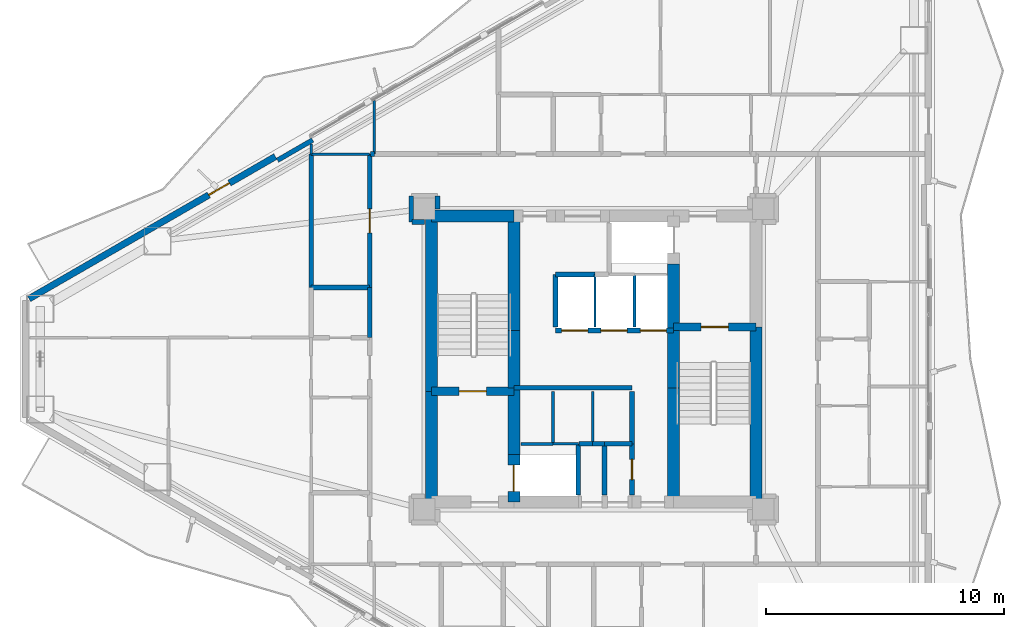
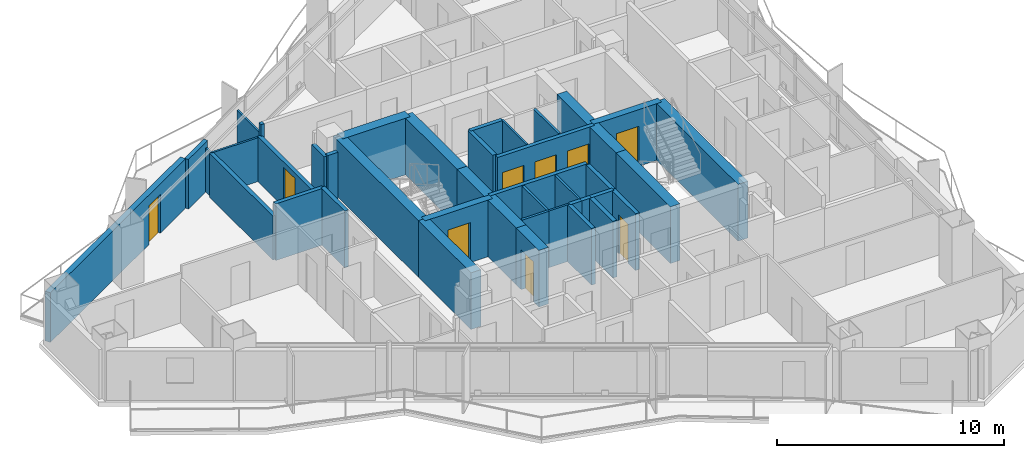
# One storey, part 17 of 22: 43 walls, 9 doors, 9 openings.
"""IFC4 building model written with IfcOpenShell, lengths in metres."""

from ifc_helpers import new_model, si_unit, direction, frame, frame_2d, origin, place, context, subcontext, project, spatial, rectangle, extrude, material, layer, layer_set, type_object, element, fill, save


model = new_model("IFC4")

# Units and contexts
model_context = context("Model", 3, precision=1e-05, world=origin(), true_north=direction((0.0, 1.0)))
body_context = subcontext(model_context, "Body", "Model", "MODEL_VIEW")
ifc_project = project(units=[si_unit("LENGTHUNIT", "METRE"), si_unit("AREAUNIT", "SQUARE_METRE"), si_unit("VOLUMEUNIT", "CUBIC_METRE"), si_unit("PLANEANGLEUNIT", "RADIAN"), si_unit("MASSUNIT", "GRAM", prefix="KILO")], contexts=[model_context])

# Site, building, storey
site_placement = place(None, origin())
site = spatial("IfcSite", under=ifc_project, at=site_placement, CompositionType="ELEMENT")
building_placement = place(site_placement, origin())
building = spatial("IfcBuilding", under=site, at=building_placement, Name="Mersakhor Tower and Convention Hall", CompositionType="ELEMENT")
storey_placement = place(building_placement, frame((0.0, 0.0, 76.800048828125)))
storey = spatial("IfcBuildingStorey", under=building, at=storey_placement, Name="L20", CompositionType="ELEMENT", Elevation=76.800048828125)

# Wall, opening, door
ifc_material_1 = material(Name="Precast concrete C45/55", Category="concrete")
ifc_layer_1 = layer(ifc_material_1, 0.27490234375)
ifc_layer_set_1 = layer_set([ifc_layer_1], Name="Precast concrete C45/55")
wall_type_1 = type_object("IfcWallType", Name="WL-EXT-275", PredefinedType="SOLIDWALL", material=ifc_layer_set_1)
wall_1_placement = place(storey_placement, frame((5.316650390625, 29.2822265625, 0.0), z_axis=(0.0, 0.0, 1.0), x_axis=(0.866023023012, 0.500004123596, 0.0)))
wall_1 = element("IfcWall", 1, at=wall_1_placement, inside=storey, type_object=wall_type_1, Name="L20 Exterior Facade Wall F1-B1", PredefinedType="SOLIDWALL", context=body_context, shape_type="SweptSolid", body=[
    extrude(rectangle(XDim=11.9296875, YDim=0.27490234375, at=frame_2d((5.96484375, 0.0))), origin(), (0.0, 0.0, 1.0), 2.669921875),
])
opening_1_placement = place(wall_1_placement, frame((8.7041015625, 0.0, 0.0)))
opening_1 = element("IfcOpeningElement", 2, at=opening_1_placement, cuts=wall_1, Name="Opening BD-01", PredefinedType="OPENING", context=body_context, shape_type="SweptSolid", body=[
    extrude(rectangle(XDim=1.0, YDim=2.10009765625, at=frame_2d((0.5, 1.050048828125))), frame((0.0, 0.1474609375, 0.0), z_axis=(0.0, -1.0, 0.0), x_axis=(1.0, 0.0, 0.0)), (0.0, 0.0, 1.0), 0.294921875),
])
ifc_material_2 = material(Name="Thermally broken dark aluminium and safety glass", Category="aluminium")
door_type_1 = type_object("IfcDoorType", Name="DR-BAL-100x210", OperationType="NOTDEFINED", PredefinedType="DOOR", material=ifc_material_2)
door_1_placement = place(opening_1_placement, origin())
door_1 = element("IfcDoor", 3, at=door_1_placement, inside=storey, type_object=door_type_1, Name="L20 Balcony Terrace Door F1-B1", OperationType="SINGLE_SWING_LEFT", OverallHeight=2.10009765625, OverallWidth=1.0, PredefinedType="DOOR", context=body_context, shape_type="SweptSolid", body=[
    extrude(rectangle(XDim=1.0, YDim=2.10009765625, at=frame_2d((0.5, 1.050048828125))), frame((0.0, 0.02490234375, 0.0), z_axis=(0.0, -1.0, 0.0), x_axis=(1.0, 0.0, 0.0)), (0.0, 0.0, 1.0), 0.050048828125),
])
fill(opening_1, door_1)

# Walls
ifc_material_3 = material(Name="Precast concrete C40/50", Category="concrete")
ifc_layer_2 = layer(ifc_material_3, 0.199951171875)
ifc_layer_set_2 = layer_set([ifc_layer_2], Name="Precast concrete C40/50")
wall_type_2 = type_object("IfcWallType", Name="WL-PAR-200", PredefinedType="PARAPET", material=ifc_layer_set_2)
wall_2_placement = place(storey_placement, frame((15.73779296875, 35.091064453125, 0.0), z_axis=(0.0, 0.0, 1.0), x_axis=(0.866025371046, 0.500000056704, 0.0)))
element("IfcWall", 4, at=wall_2_placement, inside=storey, type_object=wall_type_2, Name="L20 Column Pier Cladding Wall F1-C1", PredefinedType="PARAPET", context=body_context, shape_type="SweptSolid", body=[
    extrude(rectangle(XDim=1.7001953125, YDim=0.199951171875, at=frame_2d((0.85009765625, 0.0))), origin(), (0.0, 0.0, 1.0), 2.669921875),
])
ifc_material_4 = material(Name="Lightweight gypsum partition", Category="other")
ifc_layer_3 = layer(ifc_material_4, 0.10009765625)
ifc_layer_set_3 = layer_set([ifc_layer_3], Name="Lightweight gypsum partition")
wall_type_3 = type_object("IfcWallType", Name="WL-PRT-100", PredefinedType="PARTITIONING", material=ifc_layer_set_3)
wall_3_placement = place(storey_placement, frame((27.300048828125, 23.199951171875, 0.0), z_axis=(0.0, 0.0, 1.0), x_axis=(1.0, 0.0, 0.0)))
element("IfcWall", 5, at=wall_3_placement, inside=storey, type_object=wall_type_3, Name="L20 Interior Partition Wall P-002", PredefinedType="PARTITIONING", context=body_context, shape_type="SweptSolid", body=[
    extrude(rectangle(XDim=1.050048828125, YDim=0.10009765625, at=frame_2d((0.52490234375, 0.0))), origin(), (0.0, 0.0, 1.0), 3.050048828125),
])
for number, where, z_axis, x_axis, name in (
    (6, (28.949951171875, 25.39990234375, 0.0), (0.0, 0.0, 1.0), (0.0, -1.0, 0.0), "L20 Interior Partition Wall P-008"),
    (7, (29.050048828125, 30.300048828125, 0.0), (0.0, 0.0, 1.0), (0.0, -1.0, 0.0), "L20 Interior Partition Wall P-014"),
):
    element("IfcWall", number, at=place(storey_placement, frame(where, z_axis=z_axis, x_axis=x_axis)), inside=storey, type_object=wall_type_3, Name=name, PredefinedType="PARTITIONING", context=body_context, shape_type="SweptSolid", body=[
        extrude(rectangle(XDim=2.199951171875, YDim=0.10009765625, at=frame_2d((1.10009765625, 0.0))), origin(), (0.0, 0.0, 1.0), 3.050048828125),
    ])
wall_4_placement = place(storey_placement, frame((19.800048828125, 35.35009765625, 0.0), z_axis=(0.0, 0.0, 1.0), x_axis=(0.0, 1.0, 0.0)))
element("IfcWall", 8, at=wall_4_placement, inside=storey, type_object=wall_type_3, Name="L20 Interior Partition Wall P-104", PredefinedType="PARTITIONING", context=body_context, shape_type="SweptSolid", body=[
    extrude(rectangle(XDim=2.25244140625, YDim=0.10009765625, at=frame_2d((1.126220703125, 0.0))), origin(), (0.0, 0.0, 1.0), 2.364990234375),
])
wall_5_placement = place(storey_placement, frame((17.14990234375, 35.35009765625, 0.0), z_axis=(0.0, 0.0, 1.0), x_axis=(1.0, 0.0, 0.0)))
element("IfcWall", 9, at=wall_5_placement, inside=storey, type_object=wall_type_3, Name="L20 Interior Partition Wall P-106", PredefinedType="PARTITIONING", context=body_context, shape_type="SweptSolid", body=[
    extrude(rectangle(XDim=2.4501953125, YDim=0.10009765625, at=frame_2d((1.22509765625, 0.0))), origin(), (0.0, 0.0, 1.0), 2.364990234375),
])
wall_6_placement = place(storey_placement, frame((17.14990234375, 35.76318359375, 0.0), z_axis=(0.0, 0.0, 1.0), x_axis=(0.0, -1.0, 0.0)))
element("IfcWall", 10, at=wall_6_placement, inside=storey, type_object=wall_type_3, Name="L20 Interior Partition Wall P-132", PredefinedType="PARTITIONING", context=body_context, shape_type="SweptSolid", body=[
    extrude(rectangle(XDim=0.4130859375, YDim=0.10009765625, at=frame_2d((0.20654296875, 0.0))), origin(), (0.0, 0.0, 1.0), 2.364990234375),
])
ifc_material_5 = material(Name="Gypsum board acoustic partition", Category="other")
ifc_layer_4 = layer(ifc_material_5, 0.125)
ifc_layer_set_4 = layer_set([ifc_layer_4], Name="Gypsum board acoustic partition")
wall_type_4 = type_object("IfcWallType", Name="WL-PRT-125", PredefinedType="PARTITIONING", material=ifc_layer_set_4)
wall_7_placement = place(storey_placement, frame((25.949951171875, 23.199951171875, 0.0), z_axis=(0.0, 0.0, 1.0), x_axis=(1.0, 0.0, 0.0)))
element("IfcWall", 11, at=wall_7_placement, inside=storey, type_object=wall_type_4, Name="L20 Interior Partition Wall P-001", PredefinedType="PARTITIONING", context=body_context, shape_type="SweptSolid", body=[
    extrude(rectangle(XDim=1.35009765625, YDim=0.125, at=frame_2d((0.675048828125, 0.0))), origin(), (0.0, 0.0, 1.0), 3.050048828125),
])
for number, where, z_axis, x_axis, name in (
    (12, (27.300048828125, 25.39990234375, 0.0), (0.0, 0.0, 1.0), (0.0, -1.0, 0.0), "L20 Interior Partition Wall P-007"),
    (13, (30.699951171875, 30.300048828125, 0.0), (0.0, 0.0, 1.0), (0.0, -1.0, 0.0), "L20 Interior Partition Wall P-017"),
):
    element("IfcWall", number, at=place(storey_placement, frame(where, z_axis=z_axis, x_axis=x_axis)), inside=storey, type_object=wall_type_4, Name=name, PredefinedType="PARTITIONING", context=body_context, shape_type="SweptSolid", body=[
        extrude(rectangle(XDim=2.199951171875, YDim=0.125, at=frame_2d((1.10009765625, 0.0))), origin(), (0.0, 0.0, 1.0), 3.050048828125),
    ])
ifc_material_6 = material(Name="Acoustic concrete blockwork and gypsum board", Category="masonry")
ifc_layer_5 = layer(ifc_material_6, 0.199951171875)
ifc_layer_set_5 = layer_set([ifc_layer_5], Name="Acoustic concrete blockwork and gypsum board")
wall_type_5 = type_object("IfcWallType", Name="WL-PRT-200", PredefinedType="PARTITIONING", material=ifc_layer_set_5)
wall_8_placement = place(storey_placement, frame((25.64990234375, 25.550048828125, 0.0), z_axis=(0.0, 0.0, 1.0), x_axis=(1.0, 0.0, 0.0)))
element("IfcWall", 14, at=wall_8_placement, inside=storey, type_object=wall_type_5, Name="L20 High-Rise Lift Bank Front Wall", PredefinedType="PARTITIONING", context=body_context, shape_type="SweptSolid", body=[
    extrude(rectangle(XDim=4.9501953125, YDim=0.199951171875, at=frame_2d((2.47509765625, 0.0))), origin(), (0.0, 0.0, 1.0), 3.050048828125),
])

# Wall, openings, doors
wall_9_placement = place(storey_placement, frame((27.39990234375, 27.949951171875, 0.0), z_axis=(0.0, 0.0, 1.0), x_axis=(1.0, 0.0, 0.0)))
wall_9 = element("IfcWall", 15, at=wall_9_placement, inside=storey, type_object=wall_type_5, Name="L20 Low-Rise Lift Bank Front Wall", PredefinedType="PARTITIONING", context=body_context, shape_type="SweptSolid", body=[
    extrude(rectangle(XDim=4.9501953125, YDim=0.199951171875, at=frame_2d((2.47509765625, 0.0))), origin(), (0.0, 0.0, 1.0), 3.050048828125),
])
opening_2_placement = place(wall_9_placement, frame((0.25, 0.0, 0.0)))
opening_2 = element("IfcOpeningElement", 16, at=opening_2_placement, cuts=wall_9, Name="Opening LD-P1", PredefinedType="OPENING", context=body_context, shape_type="SweptSolid", body=[
    extrude(rectangle(XDim=1.10009765625, YDim=2.14990234375, at=frame_2d((0.550048828125, 1.074951171875))), frame((0.0, 0.10986328125, 0.0), z_axis=(0.0, -1.0, 0.0), x_axis=(1.0, 0.0, 0.0)), (0.0, 0.0, 1.0), 0.219970703125),
])
opening_3_placement = place(wall_9_placement, frame((1.89990234375, 0.0, 0.0)))
opening_3 = element("IfcOpeningElement", 17, at=opening_3_placement, cuts=wall_9, Name="Opening LD-P2", PredefinedType="OPENING", context=body_context, shape_type="SweptSolid", body=[
    extrude(rectangle(XDim=1.10009765625, YDim=2.14990234375, at=frame_2d((0.550048828125, 1.074951171875))), frame((0.0, 0.10986328125, 0.0), z_axis=(0.0, -1.0, 0.0), x_axis=(1.0, 0.0, 0.0)), (0.0, 0.0, 1.0), 0.219970703125),
])
opening_4_placement = place(wall_9_placement, frame((3.550048828125, 0.0, 0.0)))
opening_4 = element("IfcOpeningElement", 18, at=opening_4_placement, cuts=wall_9, Name="Opening LD-P3", PredefinedType="OPENING", context=body_context, shape_type="SweptSolid", body=[
    extrude(rectangle(XDim=1.10009765625, YDim=2.14990234375, at=frame_2d((0.550048828125, 1.074951171875))), frame((0.0, 0.10986328125, 0.0), z_axis=(0.0, -1.0, 0.0), x_axis=(1.0, 0.0, 0.0)), (0.0, 0.0, 1.0), 0.219970703125),
])
ifc_material_7 = material(Name="Fire-rated brushed stainless steel sliding landing door", Category="steel")
door_type_2 = type_object("IfcDoorType", Name="DR-LIFT-SLD-110x215", OperationType="NOTDEFINED", PredefinedType="DOOR", material=ifc_material_7)
door_2_placement = place(opening_2_placement, origin())
door_2 = element("IfcDoor", 19, at=door_2_placement, inside=storey, type_object=door_type_2, Name="L20 Lift Landing Door LD-P1", OperationType="SLIDING_TO_LEFT", OverallHeight=2.14990234375, OverallWidth=1.10009765625, PredefinedType="DOOR", context=body_context, shape_type="SweptSolid", body=[
    extrude(rectangle(XDim=1.10009765625, YDim=2.14990234375, at=frame_2d((0.550048828125, 1.074951171875))), frame((0.0, 0.02490234375, 0.0), z_axis=(0.0, -1.0, 0.0), x_axis=(1.0, 0.0, 0.0)), (0.0, 0.0, 1.0), 0.050048828125),
])
fill(opening_2, door_2)
door_3_placement = place(opening_3_placement, origin())
door_3 = element("IfcDoor", 20, at=door_3_placement, inside=storey, type_object=door_type_2, Name="L20 Lift Landing Door LD-P2", OperationType="SLIDING_TO_LEFT", OverallHeight=2.14990234375, OverallWidth=1.10009765625, PredefinedType="DOOR", context=body_context, shape_type="SweptSolid", body=[
    extrude(rectangle(XDim=1.10009765625, YDim=2.14990234375, at=frame_2d((0.550048828125, 1.074951171875))), frame((0.0, 0.02490234375, 0.0), z_axis=(0.0, -1.0, 0.0), x_axis=(1.0, 0.0, 0.0)), (0.0, 0.0, 1.0), 0.050048828125),
])
fill(opening_3, door_3)
door_4_placement = place(opening_4_placement, origin())
door_4 = element("IfcDoor", 21, at=door_4_placement, inside=storey, type_object=door_type_2, Name="L20 Lift Landing Door LD-P3", OperationType="SLIDING_TO_LEFT", OverallHeight=2.14990234375, OverallWidth=1.10009765625, PredefinedType="DOOR", context=body_context, shape_type="SweptSolid", body=[
    extrude(rectangle(XDim=1.10009765625, YDim=2.14990234375, at=frame_2d((0.550048828125, 1.074951171875))), frame((0.0, 0.02490234375, 0.0), z_axis=(0.0, -1.0, 0.0), x_axis=(1.0, 0.0, 0.0)), (0.0, 0.0, 1.0), 0.050048828125),
])
fill(opening_4, door_4)

# Walls
wall_10_placement = place(storey_placement, frame((28.35009765625, 23.199951171875, 0.0), z_axis=(0.0, 0.0, 1.0), x_axis=(0.0, -1.0, 0.0)))
element("IfcWall", 22, at=wall_10_placement, inside=storey, type_object=wall_type_5, Name="L20 Interior Partition Wall P-003", PredefinedType="PARTITIONING", context=body_context, shape_type="SweptSolid", body=[
    extrude(rectangle(XDim=2.14990234375, YDim=0.199951171875, at=frame_2d((1.074951171875, 0.0))), origin(), (0.0, 0.0, 1.0), 3.050048828125),
])
wall_11_placement = place(storey_placement, frame((28.949951171875, 23.199951171875, 0.0), z_axis=(0.0, 0.0, 1.0), x_axis=(-1.0, 0.0, 0.0)))
element("IfcWall", 23, at=wall_11_placement, inside=storey, type_object=wall_type_5, Name="L20 Interior Partition Wall P-009", PredefinedType="PARTITIONING", context=body_context, shape_type="SweptSolid", body=[
    extrude(rectangle(XDim=0.570068359375, YDim=0.199951171875, at=frame_2d((0.28515625, 0.0))), origin(), (0.0, 0.0, 1.0), 3.050048828125),
])
wall_12_placement = place(storey_placement, frame((30.60009765625, 25.39990234375, 0.0), z_axis=(0.0, 0.0, 1.0), x_axis=(0.0, -1.0, 0.0)))
element("IfcWall", 24, at=wall_12_placement, inside=storey, type_object=wall_type_5, Name="L20 Interior Partition Wall P-010", PredefinedType="PARTITIONING", context=body_context, shape_type="SweptSolid", body=[
    extrude(rectangle(XDim=2.199951171875, YDim=0.199951171875, at=frame_2d((1.10009765625, 0.0))), origin(), (0.0, 0.0, 1.0), 3.050048828125),
])
wall_13_placement = place(storey_placement, frame((30.60009765625, 23.199951171875, 0.0), z_axis=(0.0, 0.0, 1.0), x_axis=(-1.0, 0.0, 0.0)))
element("IfcWall", 25, at=wall_13_placement, inside=storey, type_object=wall_type_5, Name="L20 Interior Partition Wall P-011", PredefinedType="PARTITIONING", context=body_context, shape_type="SweptSolid", body=[
    extrude(rectangle(XDim=1.150146484375, YDim=0.199951171875, at=frame_2d((0.5751953125, 0.0))), origin(), (0.0, 0.0, 1.0), 3.050048828125),
])
wall_14_placement = place(storey_placement, frame((29.449951171875, 23.199951171875, 0.0), z_axis=(0.0, 0.0, 1.0), x_axis=(-1.0, 0.0, 0.0)))
element("IfcWall", 26, at=wall_14_placement, inside=storey, type_object=wall_type_5, Name="L20 Interior Partition Wall P-012", PredefinedType="PARTITIONING", context=body_context, shape_type="SweptSolid", body=[
    extrude(rectangle(XDim=0.5, YDim=0.199951171875, at=frame_2d((0.25, 0.0))), origin(), (0.0, 0.0, 1.0), 3.050048828125),
])
wall_15_placement = place(storey_placement, frame((27.39990234375, 30.300048828125, 0.0), z_axis=(0.0, 0.0, 1.0), x_axis=(1.0, 0.0, 0.0)))
element("IfcWall", 27, at=wall_15_placement, inside=storey, type_object=wall_type_5, Name="L20 Interior Partition Wall P-013", PredefinedType="PARTITIONING", context=body_context, shape_type="SweptSolid", body=[
    extrude(rectangle(XDim=1.650146484375, YDim=0.199951171875, at=frame_2d((0.8251953125, 0.0))), origin(), (0.0, 0.0, 1.0), 3.050048828125),
])
wall_16_placement = place(storey_placement, frame((27.39990234375, 28.10009765625, 0.0), z_axis=(0.0, 0.0, 1.0), x_axis=(0.0, 1.0, 0.0)))
element("IfcWall", 28, at=wall_16_placement, inside=storey, type_object=wall_type_5, Name="L20 Interior Partition Wall P-015", PredefinedType="PARTITIONING", context=body_context, shape_type="SweptSolid", body=[
    extrude(rectangle(XDim=2.199951171875, YDim=0.199951171875, at=frame_2d((1.10009765625, 0.0))), origin(), (0.0, 0.0, 1.0), 3.050048828125),
])

# Wall, opening, door
wall_17_placement = place(storey_placement, frame((30.60009765625, 21.050048828125, 0.0), z_axis=(0.0, 0.0, 1.0), x_axis=(0.0, 1.0, 0.0)))
wall_17 = element("IfcWall", 29, at=wall_17_placement, inside=storey, type_object=wall_type_5, Name="L20 Interior Partition Wall P-018", PredefinedType="PARTITIONING", context=body_context, shape_type="SweptSolid", body=[
    extrude(rectangle(XDim=2.14990234375, YDim=0.199951171875, at=frame_2d((1.074951171875, 0.0))), origin(), (0.0, 0.0, 1.0), 3.050048828125),
])
opening_5_placement = place(wall_17_placement, frame((0.64990234375, 0.0, 0.0)))
opening_5 = element("IfcOpeningElement", 30, at=opening_5_placement, cuts=wall_17, Name="Opening SVD-01", PredefinedType="OPENING", context=body_context, shape_type="SweptSolid", body=[
    extrude(rectangle(XDim=0.85009765625, YDim=2.10009765625, at=frame_2d((0.425048828125, 1.050048828125))), frame((0.0, 0.10986328125, 0.0), z_axis=(0.0, -1.0, 0.0), x_axis=(1.0, 0.0, 0.0)), (0.0, 0.0, 1.0), 0.219970703125),
])
ifc_material_8 = material(Name="Fire-rated hardwood leaf and painted steel frame", Category="steel")
door_type_3 = type_object("IfcDoorType", Name="DR-INT-SVC-085x210", OperationType="NOTDEFINED", PredefinedType="DOOR", material=ifc_material_8)
door_5_placement = place(opening_5_placement, origin())
door_5 = element("IfcDoor", 31, at=door_5_placement, inside=storey, type_object=door_type_3, Name="L20 Central Passenger Lift Lobby to Core Maintenance Store Room Door", OperationType="SINGLE_SWING_RIGHT", OverallHeight=2.10009765625, OverallWidth=0.85009765625, PredefinedType="DOOR", context=body_context, shape_type="SweptSolid", body=[
    extrude(rectangle(XDim=0.85009765625, YDim=2.10009765625, at=frame_2d((0.425048828125, 1.050048828125))), frame((0.0, 0.02490234375, 0.0), z_axis=(0.0, -1.0, 0.0), x_axis=(1.0, 0.0, 0.0)), (0.0, 0.0, 1.0), 0.050048828125),
])
fill(opening_5, door_5)

# Wall
wall_18_placement = place(storey_placement, frame((19.60009765625, 27.64990234375, 0.0), z_axis=(0.0, 0.0, 1.0), x_axis=(0.0, 1.0, 0.0)))
element("IfcWall", 32, at=wall_18_placement, inside=storey, type_object=wall_type_5, Name="L20 Interior Partition Wall P-035", PredefinedType="PARTITIONING", context=body_context, shape_type="SweptSolid", body=[
    extrude(rectangle(XDim=2.10009765625, YDim=0.199951171875, at=frame_2d((1.050048828125, 0.0))), origin(), (0.0, 0.0, 1.0), 3.050048828125),
])

# Wall, opening, door
wall_19_placement = place(storey_placement, frame((19.60009765625, 29.75, 0.0), z_axis=(0.0, 0.0, 1.0), x_axis=(0.0, 1.0, 0.0)))
wall_19 = element("IfcWall", 33, at=wall_19_placement, inside=storey, type_object=wall_type_5, Name="L20 Interior Partition Wall P-036", PredefinedType="PARTITIONING", context=body_context, shape_type="SweptSolid", body=[
    extrude(rectangle(XDim=5.60009765625, YDim=0.199951171875, at=frame_2d((2.800048828125, 0.0))), origin(), (0.0, 0.0, 1.0), 2.4228515625),
])
opening_6_placement = place(wall_19_placement, frame((2.300048828125, 0.0, 0.0)))
opening_6 = element("IfcOpeningElement", 34, at=opening_6_placement, cuts=wall_19, Name="Opening FD-01", PredefinedType="OPENING", context=body_context, shape_type="SweptSolid", body=[
    extrude(rectangle(XDim=1.0, YDim=2.14990234375, at=frame_2d((0.5, 1.074951171875))), frame((0.0, 0.10986328125, 0.0), z_axis=(0.0, -1.0, 0.0), x_axis=(1.0, 0.0, 0.0)), (0.0, 0.0, 1.0), 0.219970703125),
])
ifc_material_9 = material(Name="Fire-rated hardwood leaf and painted steel frame", Category="steel")
door_type_4 = type_object("IfcDoorType", Name="DR-INT-FLT-100x215", OperationType="NOTDEFINED", PredefinedType="DOOR", material=ifc_material_9)
door_6_placement = place(opening_6_placement, origin())
door_6 = element("IfcDoor", 35, at=door_6_placement, inside=storey, type_object=door_type_4, Name="L20 Residential Ring Corridor to L20 West Wing Shared Study Room Door", OperationType="SINGLE_SWING_LEFT", OverallHeight=2.14990234375, OverallWidth=1.0, PredefinedType="DOOR", context=body_context, shape_type="SweptSolid", body=[
    extrude(rectangle(XDim=1.0, YDim=2.14990234375, at=frame_2d((0.5, 1.074951171875))), frame((0.0, 0.02490234375, 0.0), z_axis=(0.0, -1.0, 0.0), x_axis=(1.0, 0.0, 0.0)), (0.0, 0.0, 1.0), 0.050048828125),
])
fill(opening_6, door_6)

# Walls
wall_20_placement = place(storey_placement, frame((19.6298828125, 35.35009765625, 0.0), z_axis=(0.0, 0.0, 1.0), x_axis=(1.0, 0.0, 0.0)))
element("IfcWall", 36, at=wall_20_placement, inside=storey, type_object=wall_type_5, Name="L20 Interior Partition Wall P-037", PredefinedType="PARTITIONING", context=body_context, shape_type="SweptSolid", body=[
    extrude(rectangle(XDim=0.170166015625, YDim=0.199951171875, at=frame_2d((0.0849609375, 0.0))), origin(), (0.0, 0.0, 1.0), 3.050048828125),
])
wall_21_placement = place(storey_placement, frame((22.449951171875, 33.050048828125, 0.0), z_axis=(0.0, 0.0, 1.0), x_axis=(0.0, 1.0, 0.0)))
element("IfcWall", 37, at=wall_21_placement, inside=storey, type_object=wall_type_5, Name="L20 Interior Partition Wall P-047", PredefinedType="PARTITIONING", context=body_context, shape_type="SweptSolid", body=[
    extrude(rectangle(XDim=0.550048828125, YDim=0.199951171875, at=frame_2d((0.27490234375, 0.0))), origin(), (0.0, 0.0, 1.0), 2.498291015625),
])
wall_22_placement = place(storey_placement, frame((21.35009765625, 33.60009765625, 0.0), z_axis=(0.0, 0.0, 1.0), x_axis=(0.0, -1.0, 0.0)))
element("IfcWall", 38, at=wall_22_placement, inside=storey, type_object=wall_type_5, Name="L20 Interior Partition Wall P-049", PredefinedType="PARTITIONING", context=body_context, shape_type="SweptSolid", body=[
    extrude(rectangle(XDim=1.10009765625, YDim=0.199951171875, at=frame_2d((0.550048828125, 0.0))), origin(), (0.0, 0.0, 1.0), 2.4228515625),
])
wall_23_placement = place(storey_placement, frame((21.3798828125, 32.5, 0.0), z_axis=(0.0, 0.0, 1.0), x_axis=(1.0, 0.0, 0.0)))
element("IfcWall", 39, at=wall_23_placement, inside=storey, type_object=wall_type_5, Name="L20 Interior Partition Wall P-050", PredefinedType="PARTITIONING", context=body_context, shape_type="SweptSolid", body=[
    extrude(rectangle(XDim=0.52001953125, YDim=0.199951171875, at=frame_2d((0.260009765625, 0.0))), origin(), (0.0, 0.0, 1.0), 2.498291015625),
])
wall_24_placement = place(storey_placement, frame((17.14990234375, 29.75, 0.0), z_axis=(0.0, 0.0, 1.0), x_axis=(1.0, 0.0, 0.0)))
element("IfcWall", 40, at=wall_24_placement, inside=storey, type_object=wall_type_5, Name="L20 Interior Partition Wall P-095", PredefinedType="PARTITIONING", context=body_context, shape_type="SweptSolid", body=[
    extrude(rectangle(XDim=2.4501953125, YDim=0.199951171875, at=frame_2d((1.22509765625, 0.0))), origin(), (0.0, 0.0, 1.0), 3.050048828125),
])
wall_25_placement = place(storey_placement, frame((29.449951171875, 23.199951171875, 0.0), z_axis=(0.0, 0.0, 1.0), x_axis=(0.0, -1.0, 0.0)))
element("IfcWall", 41, at=wall_25_placement, inside=storey, type_object=wall_type_5, Name="L20 Interior Partition Wall P-102", PredefinedType="PARTITIONING", context=body_context, shape_type="SweptSolid", body=[
    extrude(rectangle(XDim=2.14990234375, YDim=0.199951171875, at=frame_2d((1.074951171875, 0.0))), origin(), (0.0, 0.0, 1.0), 3.050048828125),
])
wall_26_placement = place(storey_placement, frame((17.14990234375, 29.75, 0.0), z_axis=(0.0, 0.0, 1.0), x_axis=(0.0, 1.0, 0.0)))
element("IfcWall", 42, at=wall_26_placement, inside=storey, type_object=wall_type_5, Name="L20 Interior Partition Wall P-105", PredefinedType="PARTITIONING", context=body_context, shape_type="SweptSolid", body=[
    extrude(rectangle(XDim=5.60009765625, YDim=0.199951171875, at=frame_2d((2.800048828125, 0.0))), origin(), (0.0, 0.0, 1.0), 2.364990234375),
])

# Wall, opening, door
ifc_material_10 = material(Name="Concrete C50/60", Category="concrete")
ifc_layer_6 = layer(ifc_material_10, 0.35009765625)
ifc_layer_set_6 = layer_set([ifc_layer_6], Name="Concrete C50/60")
wall_type_6 = type_object("IfcWallType", Name="WL-SHR-350", PredefinedType="SHEAR", material=ifc_layer_set_6)
wall_27_placement = place(storey_placement, frame((22.199951171875, 25.39990234375, 0.0), z_axis=(0.0, 0.0, 1.0), x_axis=(1.0, 0.0, 0.0)))
wall_27 = element("IfcWall", 43, at=wall_27_placement, inside=storey, type_object=wall_type_6, Name="L20 Core Wall CS-ST1-S", PredefinedType="SHEAR", context=body_context, shape_type="SweptSolid", body=[
    extrude(rectangle(XDim=3.449951171875, YDim=0.35009765625, at=frame_2d((1.72509765625, 0.0))), origin(), (0.0, 0.0, 1.0), 3.050048828125),
])
opening_7_placement = place(wall_27_placement, frame((1.14990234375, 0.0, 0.0)))
opening_7 = element("IfcOpeningElement", 44, at=opening_7_placement, cuts=wall_27, Name="Opening SD-01", PredefinedType="OPENING", context=body_context, shape_type="SweptSolid", body=[
    extrude(rectangle(XDim=1.14990234375, YDim=2.14990234375, at=frame_2d((0.574951171875, 1.074951171875))), frame((0.0, 0.18505859375, 0.0), z_axis=(0.0, -1.0, 0.0), x_axis=(1.0, 0.0, 0.0)), (0.0, 0.0, 1.0), 0.3701171875),
])
ifc_material_11 = material(Name="Fire-rated hardwood leaf and painted steel frame", Category="steel")
door_type_5 = type_object("IfcDoorType", Name="DR-INT-STAIR-115x215", OperationType="NOTDEFINED", PredefinedType="DOOR", material=ifc_material_11)
door_7_placement = place(opening_7_placement, origin())
door_7 = element("IfcDoor", 45, at=door_7_placement, inside=storey, type_object=door_type_5, Name="L20 Exit Stair ST-1 Enclosure Door", OperationType="SINGLE_SWING_LEFT", OverallHeight=2.14990234375, OverallWidth=1.14990234375, PredefinedType="DOOR", context=body_context, shape_type="SweptSolid", body=[
    extrude(rectangle(XDim=1.14990234375, YDim=2.14990234375, at=frame_2d((0.574951171875, 1.074951171875))), frame((0.0, 0.02490234375, 0.0), z_axis=(0.0, -1.0, 0.0), x_axis=(1.0, 0.0, 0.0)), (0.0, 0.0, 1.0), 0.050048828125),
])
fill(opening_7, door_7)

wall_28_placement = place(storey_placement, frame((32.35009765625, 28.10009765625, 0.0), z_axis=(0.0, 0.0, 1.0), x_axis=(1.0, 0.0, 0.0)))
wall_28 = element("IfcWall", 46, at=wall_28_placement, inside=storey, type_object=wall_type_6, Name="L20 Core Wall CS-ST2-N", PredefinedType="SHEAR", context=body_context, shape_type="SweptSolid", body=[
    extrude(rectangle(XDim=3.449951171875, YDim=0.35009765625, at=frame_2d((1.72509765625, 0.0))), origin(), (0.0, 0.0, 1.0), 3.050048828125),
])
opening_8_placement = place(wall_28_placement, frame((1.14990234375, 0.0, 0.0)))
opening_8 = element("IfcOpeningElement", 47, at=opening_8_placement, cuts=wall_28, Name="Opening SD-01", PredefinedType="OPENING", context=body_context, shape_type="SweptSolid", body=[
    extrude(rectangle(XDim=1.14990234375, YDim=2.14990234375, at=frame_2d((0.574951171875, 1.074951171875))), frame((0.0, 0.18505859375, 0.0), z_axis=(0.0, -1.0, 0.0), x_axis=(1.0, 0.0, 0.0)), (0.0, 0.0, 1.0), 0.3701171875),
])
door_8_placement = place(opening_8_placement, origin())
door_8 = element("IfcDoor", 48, at=door_8_placement, inside=storey, type_object=door_type_5, Name="L20 Exit Stair ST-2 Enclosure Door", OperationType="SINGLE_SWING_RIGHT", OverallHeight=2.14990234375, OverallWidth=1.14990234375, PredefinedType="DOOR", context=body_context, shape_type="SweptSolid", body=[
    extrude(rectangle(XDim=1.14990234375, YDim=2.14990234375, at=frame_2d((0.574951171875, 1.074951171875))), frame((0.0, 0.02490234375, 0.0), z_axis=(0.0, -1.0, 0.0), x_axis=(1.0, 0.0, 0.0)), (0.0, 0.0, 1.0), 0.050048828125),
])
fill(opening_8, door_8)

# Walls
ifc_material_12 = material(Name="Concrete C70/85", Category="concrete")
ifc_layer_7 = layer(ifc_material_12, 0.5)
ifc_layer_set_7 = layer_set([ifc_layer_7], Name="Concrete C70/85")
wall_type_7 = type_object("IfcWallType", Name="WL-SHR-500", PredefinedType="SHEAR", material=ifc_layer_set_7)
wall_29_placement = place(storey_placement, frame((22.199951171875, 20.75, 0.0), z_axis=(0.0, 0.0, 1.0), x_axis=(0.0, 1.0, 0.0)))
element("IfcWall", 49, at=wall_29_placement, inside=storey, type_object=wall_type_7, Name="L20 Core Wall CW-W1", PredefinedType="SHEAR", context=body_context, shape_type="SweptSolid", body=[
    extrude(rectangle(XDim=4.64990234375, YDim=0.5, at=frame_2d((2.324951171875, 0.0))), origin(), (0.0, 0.0, 1.0), 3.050048828125),
])
wall_30_placement = place(storey_placement, frame((22.199951171875, 25.39990234375, 0.0), z_axis=(0.0, 0.0, 1.0), x_axis=(0.0, 1.0, 0.0)))
element("IfcWall", 50, at=wall_30_placement, inside=storey, type_object=wall_type_7, Name="L20 Core Wall CW-W2", PredefinedType="SHEAR", context=body_context, shape_type="SweptSolid", body=[
    extrude(rectangle(XDim=7.35009765625, YDim=0.5, at=frame_2d((3.675048828125, 0.0))), origin(), (0.0, 0.0, 1.0), 3.050048828125),
])
wall_31_placement = place(storey_placement, frame((22.199951171875, 32.75, 0.0), z_axis=(0.0, 0.0, 1.0), x_axis=(1.0, 0.0, 0.0)))
element("IfcWall", 51, at=wall_31_placement, inside=storey, type_object=wall_type_7, Name="L20 Core Wall CW-N1", PredefinedType="SHEAR", context=body_context, shape_type="SweptSolid", body=[
    extrude(rectangle(XDim=3.449951171875, YDim=0.5, at=frame_2d((1.72509765625, 0.0))), origin(), (0.0, 0.0, 1.0), 3.050048828125),
])
wall_32_placement = place(storey_placement, frame((35.800048828125, 28.10009765625, 0.0), z_axis=(0.0, 0.0, 1.0), x_axis=(0.0, -1.0, 0.0)))
element("IfcWall", 52, at=wall_32_placement, inside=storey, type_object=wall_type_7, Name="L20 Core Wall CW-E2", PredefinedType="SHEAR", context=body_context, shape_type="SweptSolid", body=[
    extrude(rectangle(XDim=7.35009765625, YDim=0.5, at=frame_2d((3.675048828125, 0.0))), origin(), (0.0, 0.0, 1.0), 3.050048828125),
])

# Wall, opening, door
wall_33_placement = place(storey_placement, frame((25.64990234375, 20.75, 0.0), z_axis=(0.0, 0.0, 1.0), x_axis=(0.0, 1.0, 0.0)))
wall_33 = element("IfcWall", 53, at=wall_33_placement, inside=storey, type_object=wall_type_7, Name="L20 Core Wall CS-W-FFL", PredefinedType="SHEAR", context=body_context, shape_type="SweptSolid", body=[
    extrude(rectangle(XDim=2.0, YDim=0.5, at=frame_2d((1.0, 0.0))), origin(), (0.0, 0.0, 1.0), 3.050048828125),
])
opening_9_placement = place(wall_33_placement, frame((0.449951171875, 0.0, 0.0)))
opening_9 = element("IfcOpeningElement", 54, at=opening_9_placement, cuts=wall_33, Name="Opening LD-FFL1", PredefinedType="OPENING", context=body_context, shape_type="SweptSolid", body=[
    extrude(rectangle(XDim=1.10009765625, YDim=2.14990234375, at=frame_2d((0.550048828125, 1.074951171875))), frame((0.0, 0.260009765625, 0.0), z_axis=(0.0, -1.0, 0.0), x_axis=(1.0, 0.0, 0.0)), (0.0, 0.0, 1.0), 0.52001953125),
])
door_9_placement = place(opening_9_placement, origin())
door_9 = element("IfcDoor", 55, at=door_9_placement, inside=storey, type_object=door_type_2, Name="L20 Firefighting Lift Landing Door LD-FFL1", OperationType="SLIDING_TO_LEFT", OverallHeight=2.14990234375, OverallWidth=1.10009765625, PredefinedType="DOOR", context=body_context, shape_type="SweptSolid", body=[
    extrude(rectangle(XDim=1.10009765625, YDim=2.14990234375, at=frame_2d((0.550048828125, 1.074951171875))), frame((0.0, 0.02490234375, 0.0), z_axis=(0.0, -1.0, 0.0), x_axis=(1.0, 0.0, 0.0)), (0.0, 0.0, 1.0), 0.050048828125),
])
fill(opening_9, door_9)

# Walls
wall_34_placement = place(storey_placement, frame((25.64990234375, 22.75, 0.0), z_axis=(0.0, 0.0, 1.0), x_axis=(0.0, 1.0, 0.0)))
element("IfcWall", 56, at=wall_34_placement, inside=storey, type_object=wall_type_7, Name="L20 Core Wall CS-W-MID", PredefinedType="SHEAR", context=body_context, shape_type="SweptSolid", body=[
    extrude(rectangle(XDim=2.800048828125, YDim=0.5, at=frame_2d((1.39990234375, 0.0))), origin(), (0.0, 0.0, 1.0), 3.050048828125),
])
wall_35_placement = place(storey_placement, frame((25.64990234375, 25.550048828125, 0.0), z_axis=(0.0, 0.0, 1.0), x_axis=(0.0, 1.0, 0.0)))
element("IfcWall", 57, at=wall_35_placement, inside=storey, type_object=wall_type_7, Name="L20 Core Wall CS-W-LOB", PredefinedType="SHEAR", context=body_context, shape_type="SweptSolid", body=[
    extrude(rectangle(XDim=2.39990234375, YDim=0.5, at=frame_2d((1.199951171875, 0.0))), origin(), (0.0, 0.0, 1.0), 3.050048828125),
])
for number, where, z_axis, x_axis, name in (
    (58, (25.64990234375, 27.949951171875, 0.0), (0.0, 0.0, 1.0), (0.0, 1.0, 0.0), "L20 Core Wall CS-W-ST1"),
    (59, (32.35009765625, 20.75, 0.0), (0.0, 0.0, 1.0), (0.0, 1.0, 0.0), "L20 Core Wall CS-E-ST2"),
):
    element("IfcWall", number, at=place(storey_placement, frame(where, z_axis=z_axis, x_axis=x_axis)), inside=storey, type_object=wall_type_7, Name=name, PredefinedType="SHEAR", context=body_context, shape_type="SweptSolid", body=[
        extrude(rectangle(XDim=4.800048828125, YDim=0.5, at=frame_2d((2.39990234375, 0.0))), origin(), (0.0, 0.0, 1.0), 3.050048828125),
    ])
wall_36_placement = place(storey_placement, frame((32.35009765625, 25.550048828125, 0.0), z_axis=(0.0, 0.0, 1.0), x_axis=(0.0, 1.0, 0.0)))
element("IfcWall", 60, at=wall_36_placement, inside=storey, type_object=wall_type_7, Name="L20 Core Wall CS-E-LOB", PredefinedType="SHEAR", context=body_context, shape_type="SweptSolid", body=[
    extrude(rectangle(XDim=2.39990234375, YDim=0.5, at=frame_2d((1.199951171875, 0.0))), origin(), (0.0, 0.0, 1.0), 3.050048828125),
])
wall_37_placement = place(storey_placement, frame((32.35009765625, 27.949951171875, 0.0), z_axis=(0.0, 0.0, 1.0), x_axis=(0.0, 1.0, 0.0)))
element("IfcWall", 61, at=wall_37_placement, inside=storey, type_object=wall_type_7, Name="L20 Core Wall CS-E-MID", PredefinedType="SHEAR", context=body_context, shape_type="SweptSolid", body=[
    extrude(rectangle(XDim=2.800048828125, YDim=0.5, at=frame_2d((1.39990234375, 0.0))), origin(), (0.0, 0.0, 1.0), 3.050048828125),
])

save(model, "model.ifc")
